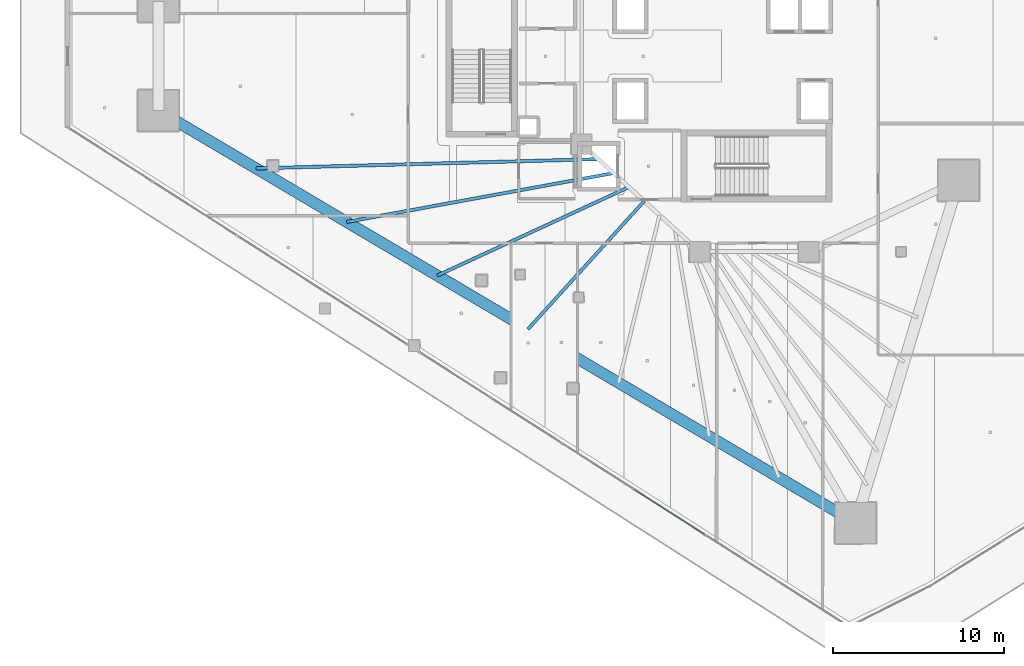
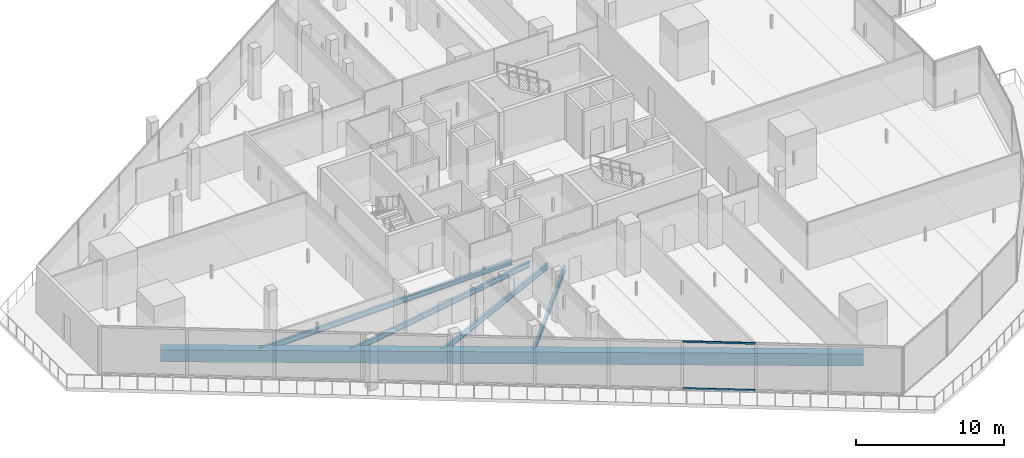
# One storey, part 6 of 44: 5 beams, 2 members, 1 element without a shape of its own.
"""IFC4 building model written with IfcOpenShell, lengths in metres."""

from ifc_helpers import new_model, si_unit, direction, frame, origin, origin_2d, place, context, subcontext, project, spatial, rectangle, hollow_rectangle, i_section, extrude, material, layer, layer_set, material_profile, profile_set, type_object, element, aggregate, save


model = new_model("IFC4")

# Units and contexts
model_context = context("Model", 3, precision=1e-05, world=origin(), true_north=direction((0.0, 1.0)))
body_context = subcontext(model_context, "Body", "Model", "MODEL_VIEW")
ifc_project = project(units=[si_unit("LENGTHUNIT", "METRE"), si_unit("AREAUNIT", "SQUARE_METRE"), si_unit("VOLUMEUNIT", "CUBIC_METRE"), si_unit("PLANEANGLEUNIT", "RADIAN"), si_unit("MASSUNIT", "GRAM", prefix="KILO")], contexts=[model_context])

# Site, building, storey
site_placement = place(None, origin())
site = spatial("IfcSite", under=ifc_project, at=site_placement, CompositionType="ELEMENT")
building_placement = place(site_placement, origin())
building = spatial("IfcBuilding", under=site, at=building_placement, Name="Qorvath Tower", CompositionType="ELEMENT")
storey_placement = place(building_placement, frame((0.0, 0.0, 53.39990234375)))
storey = spatial("IfcBuildingStorey", under=building, at=storey_placement, Name="L11", CompositionType="ELEMENT", Elevation=53.39990234375)

# Beams
ifc_material_1 = material(Name="Steel ASTM A992 Grade 50", Category="steel")
ifc_material_profile_1 = material_profile(ifc_material_1, i_section(OverallWidth=0.18994140625, OverallDepth=0.45703125, WebThickness=0.009033203125, FlangeThickness=0.014404296875, FilletRadius=0.011962890625, at=origin_2d()), Name="W18x50")
ifc_profile_set_1 = profile_set([ifc_material_profile_1], Name="Steel ASTM A992 Grade 50")
beam_type_1 = type_object("IfcBeamType", Name="BM-FJ2", PredefinedType="JOIST", material=ifc_profile_set_1)
beam_1_placement = place(storey_placement, frame((-29.533935546875, -6.031982421875, -0.50830078125), z_axis=(-0.999634925413, -0.02701880631, 0.0), x_axis=(0.02701880631, -0.999634925413, 0.0)))
element("IfcBeam", 1, at=beam_1_placement, inside=storey, type_object=beam_type_1, Name="Composite Floor Joist SW1 L11", PredefinedType="JOIST", context=body_context, shape_type="SweptSolid", body=[
    extrude(i_section(OverallWidth=0.18994140625, OverallDepth=0.45703125, WebThickness=0.009033203125, FlangeThickness=0.014404296875, FilletRadius=0.011962890625, at=origin_2d()), origin(), (0.0, 0.0, 1.0), 20.041748046875),
])
beam_2_placement = place(storey_placement, frame((-28.636962890625, -6.85107421875, -0.50830078125), z_axis=(-0.983656498786, -0.180055248176, 0.0), x_axis=(0.180055248176, -0.983656498786, 0.0)))
element("IfcBeam", 2, at=beam_2_placement, inside=storey, type_object=beam_type_1, Name="Composite Floor Joist SW2 L11", PredefinedType="JOIST", context=body_context, shape_type="SweptSolid", body=[
    extrude(i_section(OverallWidth=0.18994140625, OverallDepth=0.45703125, WebThickness=0.009033203125, FlangeThickness=0.014404296875, FilletRadius=0.011962890625, at=origin_2d()), origin(), (0.0, 0.0, 1.0), 15.884521484375),
])
beam_3_placement = place(storey_placement, frame((-27.739990234375, -7.669921875, -0.50830078125), z_axis=(-0.907881281747, -0.419227358665, 0.0), x_axis=(0.419227358665, -0.907881281747, 0.0)))
element("IfcBeam", 3, at=beam_3_placement, inside=storey, type_object=beam_type_1, Name="Composite Floor Joist SW3 L11", PredefinedType="JOIST", context=body_context, shape_type="SweptSolid", body=[
    extrude(i_section(OverallWidth=0.18994140625, OverallDepth=0.45703125, WebThickness=0.009033203125, FlangeThickness=0.014404296875, FilletRadius=0.011962890625, at=origin_2d()), origin(), (0.0, 0.0, 1.0), 12.353515625),
])
beam_4_placement = place(storey_placement, frame((-26.843017578125, -8.489013671875, -0.50830078125), z_axis=(-0.672128980215, -0.740434084815, 0.0), x_axis=(0.740434084815, -0.672128980215, 0.0)))
element("IfcBeam", 4, at=beam_4_placement, inside=storey, type_object=beam_type_1, Name="Composite Floor Joist SW4 L11", PredefinedType="JOIST", context=body_context, shape_type="SweptSolid", body=[
    extrude(i_section(OverallWidth=0.18994140625, OverallDepth=0.45703125, WebThickness=0.009033203125, FlangeThickness=0.014404296875, FilletRadius=0.011962890625, at=origin_2d()), origin(), (0.0, 0.0, 1.0), 10.1259765625),
])
ifc_material_2 = material(Name="Concrete C50/60", Category="concrete")
ifc_material_profile_2 = material_profile(ifc_material_2, rectangle(XDim=0.64990234375, YDim=1.0, at=origin_2d()), Name="RCB 1000x650")
ifc_profile_set_2 = profile_set([ifc_material_profile_2], Name="Concrete C50/60")
beam_type_2 = type_object("IfcBeamType", Name="BM-RCB1", PredefinedType="SPANDREL", material=ifc_profile_set_2)
beam_5_placement = place(storey_placement, frame((-55.282958984375, -3.194580078125, -0.77978515625), z_axis=(0.860777360917, -0.508981664633, 0.0), x_axis=(0.508981664633, 0.860777360917, 0.0)))
element("IfcBeam", 5, at=beam_5_placement, inside=storey, type_object=beam_type_2, Name="Perimeter Loggia Frame Beam MC2-MC3 L11", PredefinedType="SPANDREL", context=body_context, shape_type="SweptSolid", body=[
    extrude(rectangle(XDim=0.64990234375, YDim=1.0, at=origin_2d()), origin(), (0.0, 0.0, 1.0), 47.420654296875),
])

# Curtain wall, members
ifc_material_3 = material(Name="Anodised aluminium and triple low-E glass", Category="aluminium")
ifc_layer = layer(ifc_material_3, 0.179931640625)
ifc_layer_set = layer_set([ifc_layer], Name="CW-SYS-2")
curtain_wall_type = type_object("IfcCurtainWallType", Name="CW-SYS-2", PredefinedType="NOTDEFINED", material=ifc_layer_set)
curtain_wall_placement = place(storey_placement, origin())
curtain_wall = element("IfcCurtainWall", 6, at=curtain_wall_placement, inside=storey, type_object=curtain_wall_type, Name="Curtain Wall CW-2 CW-T-L11-2.2", PredefinedType="NOTDEFINED")
ifc_material_4 = material(Name="Anodised aluminium 6063-T6", Category="aluminium")
ifc_material_profile_3 = material_profile(ifc_material_4, hollow_rectangle(XDim=0.06494140625, YDim=0.159912109375, WallThickness=0.00341796875, InnerFilletRadius=0.00341796875, OuterFilletRadius=0.007080078125, at=origin_2d()), Name="CWT 160x65")
ifc_profile_set_3 = profile_set([ifc_material_profile_3], Name="Anodised aluminium 6063-T6")
member_type = type_object("IfcMemberType", Name="CWT-160", PredefinedType="USERDEFINED", material=ifc_profile_set_3)
member_1_placement = place(storey_placement, frame((-27.41796875, -25.38427734375, 0.032470703125), z_axis=(0.842599789042, -0.53854024502, 0.0), x_axis=(0.53854024502, 0.842599789042, 0.0)))
member_1 = element("IfcMember", 7, at=member_1_placement, type_object=member_type, Name="CW-2 transom 4.1", ObjectType="TRANSOM", PredefinedType="USERDEFINED", context=body_context, shape_type="SweptSolid", body=[
    extrude(hollow_rectangle(XDim=0.06494140625, YDim=0.159912109375, WallThickness=0.00341796875, InnerFilletRadius=0.00341796875, OuterFilletRadius=0.007080078125, at=origin_2d()), origin(), (0.0, 0.0, 1.0), 4.912353515625),
])
member_2_placement = place(storey_placement, frame((-27.41796875, -25.38427734375, 3.8876953125), z_axis=(0.842599789042, -0.53854024502, 0.0), x_axis=(0.53854024502, 0.842599789042, 0.0)))
member_2 = element("IfcMember", 8, at=member_2_placement, type_object=member_type, Name="CW-2 transom 4.2", ObjectType="TRANSOM", PredefinedType="USERDEFINED", context=body_context, shape_type="SweptSolid", body=[
    extrude(hollow_rectangle(XDim=0.06494140625, YDim=0.159912109375, WallThickness=0.00341796875, InnerFilletRadius=0.00341796875, OuterFilletRadius=0.007080078125, at=origin_2d()), origin(), (0.0, 0.0, 1.0), 4.912353515625),
])
aggregate(curtain_wall, [member_1, member_2])

save(model, "model.ifc")
